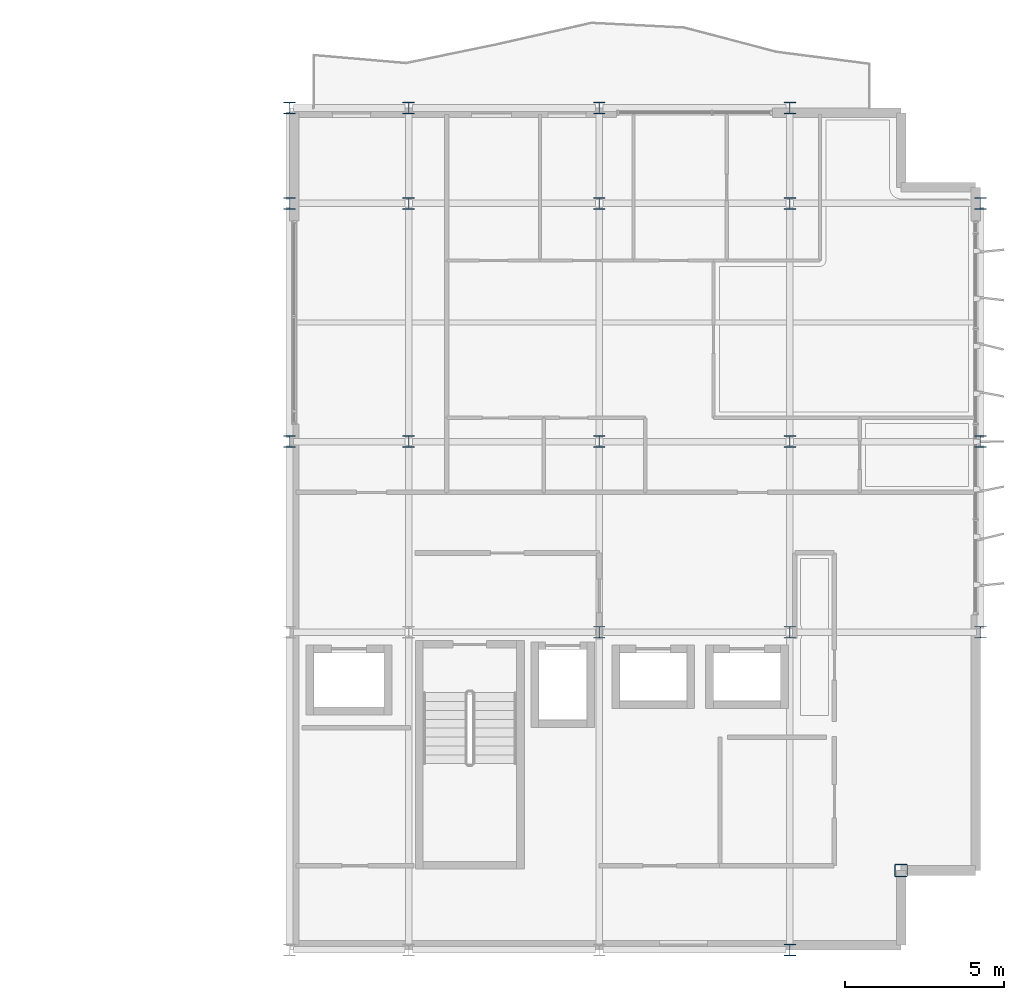
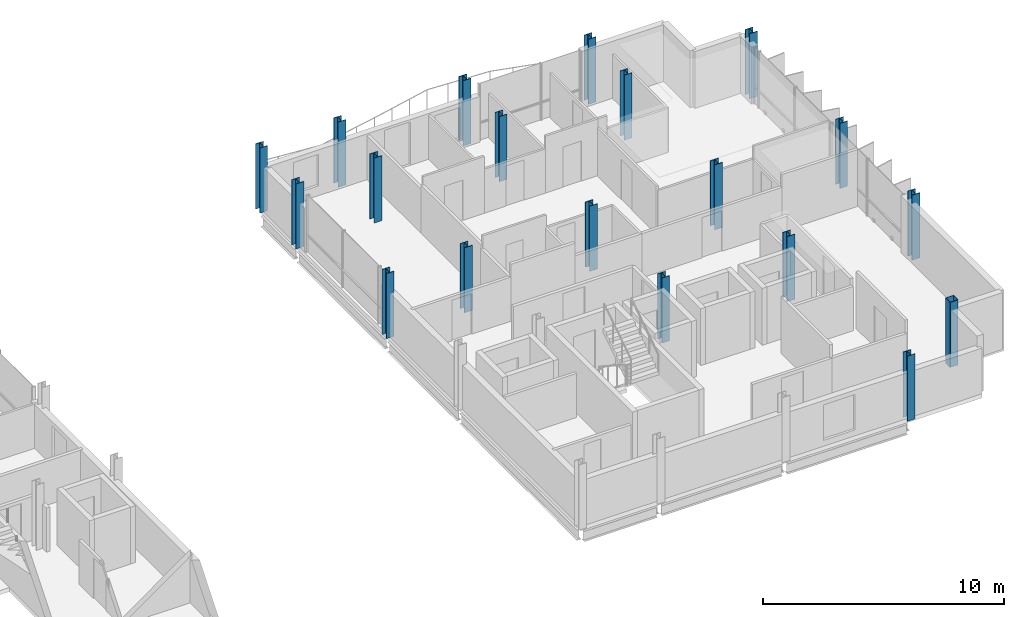
# One storey, part 2 of 30: 19 columns.
"""IFC4 building model written with IfcOpenShell, lengths in metres."""

from ifc_helpers import new_model, si_unit, direction, frame, origin, origin_2d, place, context, subcontext, project, spatial, hollow_rectangle, i_section, extrude, material, material_profile, profile_set, type_object, element, save


model = new_model("IFC4")

# Units and contexts
model_context = context("Model", 3, precision=1e-05, world=origin(), true_north=direction((0.0, 1.0)))
body_context = subcontext(model_context, "Body", "Model", "MODEL_VIEW")
ifc_project = project(units=[si_unit("LENGTHUNIT", "METRE"), si_unit("AREAUNIT", "SQUARE_METRE"), si_unit("VOLUMEUNIT", "CUBIC_METRE"), si_unit("PLANEANGLEUNIT", "RADIAN"), si_unit("MASSUNIT", "GRAM", prefix="KILO")], contexts=[model_context])

# Site, building, storey
site_placement = place(None, origin())
site = spatial("IfcSite", under=ifc_project, at=site_placement, CompositionType="ELEMENT")
building_placement = place(site_placement, origin())
building = spatial("IfcBuilding", under=site, at=building_placement, Name="Brevholm Reach", CompositionType="ELEMENT")
storey_placement = place(building_placement, frame((0.0, 0.0, 211.10009765625)))
storey = spatial("IfcBuildingStorey", under=building, at=storey_placement, Name="L64", CompositionType="ELEMENT", Elevation=211.10009765625)

# Columns
ifc_material_1 = material(Name="Structural Steel S460NH", Category="steel")
ifc_material_profile_1 = material_profile(ifc_material_1, hollow_rectangle(XDim=0.39990234375, YDim=0.39990234375, WallThickness=0.02001953125, InnerFilletRadius=0.011962890625, OuterFilletRadius=0.02392578125, at=origin_2d()), Name="SHS 400x400x20")
ifc_profile_set_1 = profile_set([ifc_material_profile_1], Name="Structural Steel S460NH")
column_type_1 = type_object("IfcColumnType", Name="COL-SHS2", PredefinedType="COLUMN", material=ifc_profile_set_1)
column_placement = place(storey_placement, frame((57.5, 2.5, 0.0), z_axis=(0.0, 0.0, 1.0), x_axis=(1.0, 0.0, 0.0)))
element("IfcColumn", 1, at=column_placement, inside=storey, type_object=column_type_1, Name="L64 Column 45", PredefinedType="COLUMN", context=body_context, shape_type="SweptSolid", body=[
    extrude(hollow_rectangle(XDim=0.39990234375, YDim=0.39990234375, WallThickness=0.02001953125, InnerFilletRadius=0.011962890625, OuterFilletRadius=0.02392578125, at=origin_2d()), origin(), (0.0, 0.0, 1.0), 3.2998046875),
])
ifc_material_2 = material(Name="Structural Steel S355J2", Category="steel")
ifc_material_profile_2 = material_profile(ifc_material_2, i_section(OverallWidth=0.374755859375, OverallDepth=0.37451171875, WebThickness=0.0166015625, FlangeThickness=0.027099609375, FilletRadius=0.01513671875, at=origin_2d()), Name="UKC 356x368x202")
ifc_profile_set_2 = profile_set([ifc_material_profile_2], Name="Structural Steel S355J2")
column_type_2 = type_object("IfcColumnType", Name="COL-UC6", PredefinedType="COLUMN", material=ifc_profile_set_2)
for number, where, z_axis, x_axis, name in (
    (2, (38.25, 16.0, 0.0), (0.0, 0.0, 1.0), (1.0, 0.0, 0.0), "L64 Column 27"),
    (3, (38.25, 23.5, 0.0), (0.0, 0.0, 1.0), (1.0, 0.0, 0.0), "L64 Column 28"),
    (4, (38.25, 26.5, 0.0), (0.0, 0.0, 1.0), (1.0, 0.0, 0.0), "L64 Column 29"),
    (5, (42.0, 16.0, 0.0), (0.0, 0.0, 1.0), (1.0, 0.0, 0.0), "L64 Column 32"),
    (6, (42.0, 23.5, 0.0), (0.0, 0.0, 1.0), (1.0, 0.0, 0.0), "L64 Column 33"),
    (7, (42.0, 26.5, 0.0), (0.0, 0.0, 1.0), (1.0, 0.0, 0.0), "L64 Column 34"),
    (8, (48.0, 10.0, 0.0), (0.0, 0.0, 1.0), (1.0, 0.0, 0.0), "L64 Column 36"),
    (9, (48.0, 16.0, 0.0), (0.0, 0.0, 1.0), (1.0, 0.0, 0.0), "L64 Column 37"),
    (10, (48.0, 23.5, 0.0), (0.0, 0.0, 1.0), (1.0, 0.0, 0.0), "L64 Column 38"),
    (11, (48.0, 26.5, 0.0), (0.0, 0.0, 1.0), (1.0, 0.0, 0.0), "L64 Column 39"),
    (12, (54.0, 0.0, 0.0), (0.0, 0.0, 1.0), (1.0, 0.0, 0.0), "L64 Column 40"),
    (13, (54.0, 10.0, 0.0), (0.0, 0.0, 1.0), (1.0, 0.0, 0.0), "L64 Column 41"),
    (14, (54.0, 16.0, 0.0), (0.0, 0.0, 1.0), (1.0, 0.0, 0.0), "L64 Column 42"),
    (15, (54.0, 23.5, 0.0), (0.0, 0.0, 1.0), (1.0, 0.0, 0.0), "L64 Column 43"),
    (16, (54.0, 26.5, 0.0), (0.0, 0.0, 1.0), (1.0, 0.0, 0.0), "L64 Column 44"),
    (17, (60.0, 10.0, 0.0), (0.0, 0.0, 1.0), (1.0, 0.0, 0.0), "L64 Column 46"),
    (18, (60.0, 16.0, 0.0), (0.0, 0.0, 1.0), (1.0, 0.0, 0.0), "L64 Column 47"),
    (19, (60.0, 23.5, 0.0), (0.0, 0.0, 1.0), (1.0, 0.0, 0.0), "L64 Column 48"),
):
    element("IfcColumn", number, at=place(storey_placement, frame(where, z_axis=z_axis, x_axis=x_axis)), inside=storey, type_object=column_type_2, Name=name, PredefinedType="COLUMN", context=body_context, shape_type="SweptSolid", body=[
        extrude(i_section(OverallWidth=0.374755859375, OverallDepth=0.37451171875, WebThickness=0.0166015625, FlangeThickness=0.027099609375, FilletRadius=0.01513671875, at=origin_2d()), origin(), (0.0, 0.0, 1.0), 3.2998046875),
    ])

save(model, "model.ifc")
